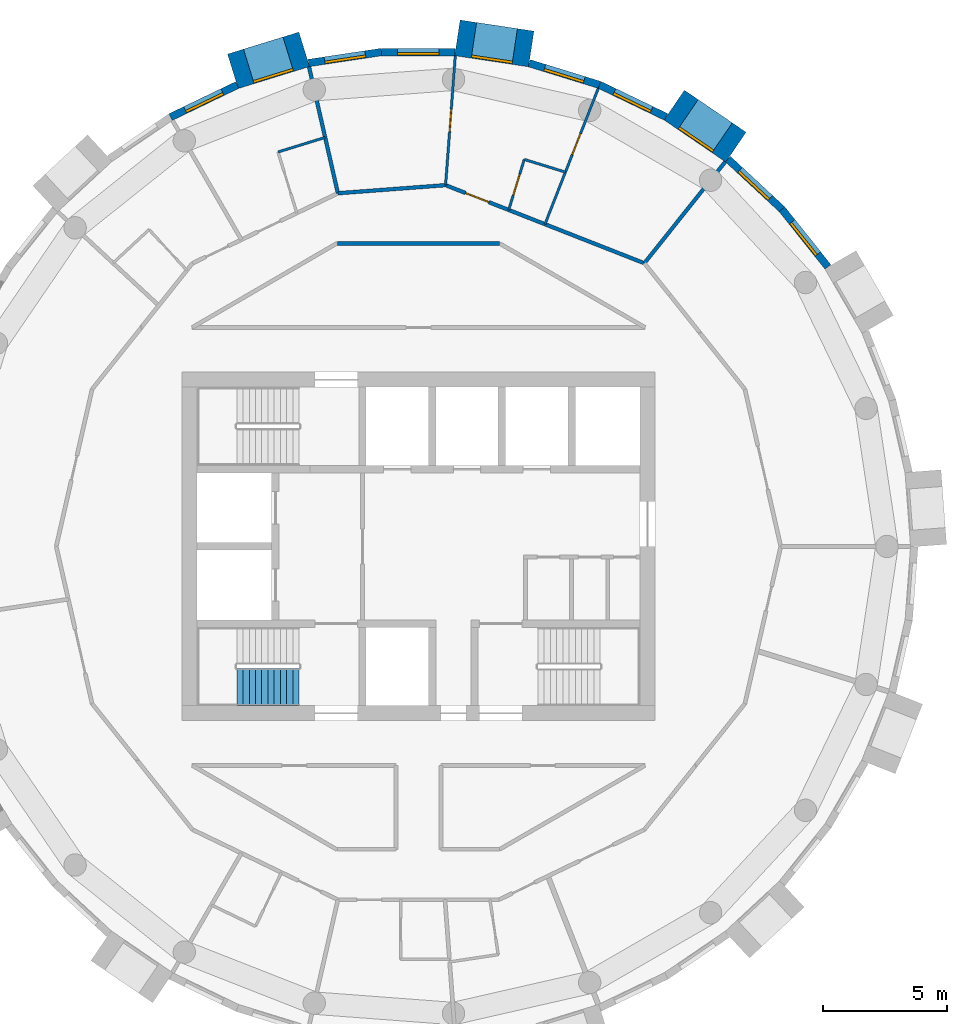
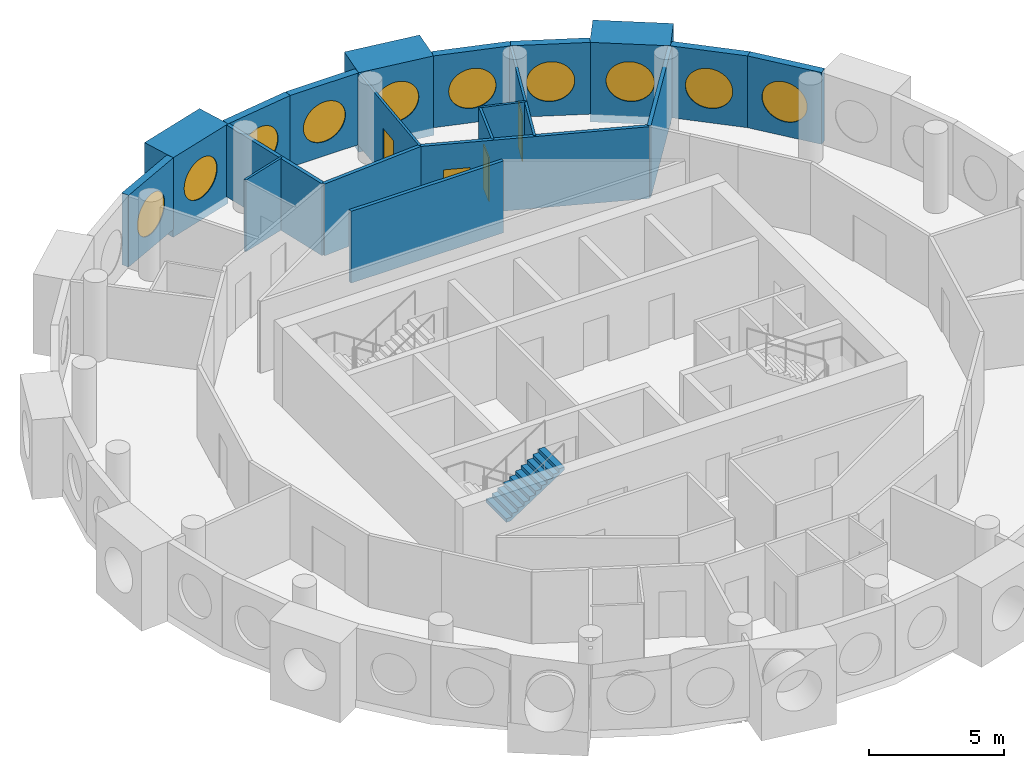
# One storey, part 11 of 13: 21 walls, 10 windows, 4 doors, 1 stair flight, 14 openings, 1 element without a shape of its own.
"""IFC4 building model written with IfcOpenShell, lengths in metres."""

from ifc_helpers import new_model, si_unit, direction, frame, frame_2d, origin, origin_2d, place, context, subcontext, project, spatial, polyline, rectangle, circle, outline, extrude, material, layer, layer_set, type_object, element, fill, aggregate, save


model = new_model("IFC4")

# Units and contexts
model_context = context("Model", 3, precision=1e-05, world=origin(), true_north=direction((0.0, 1.0)))
body_context = subcontext(model_context, "Body", "Model", "MODEL_VIEW")
ifc_project = project(units=[si_unit("LENGTHUNIT", "METRE"), si_unit("AREAUNIT", "SQUARE_METRE"), si_unit("VOLUMEUNIT", "CUBIC_METRE"), si_unit("PLANEANGLEUNIT", "RADIAN"), si_unit("MASSUNIT", "GRAM", prefix="KILO")], contexts=[model_context])

# Site, building, storey
site_placement = place(None, origin())
site = spatial("IfcSite", under=ifc_project, at=site_placement, CompositionType="ELEMENT")
building_placement = place(site_placement, origin())
building = spatial("IfcBuilding", under=site, at=building_placement, Name="Tracery Tower", CompositionType="ELEMENT")
storey_placement = place(building_placement, frame((0.0, 0.0, 319.800048828125)))
storey = spatial("IfcBuildingStorey", under=building, at=storey_placement, Name="L83", CompositionType="ELEMENT", Elevation=319.800048828125)

# Wall, opening, window
ifc_material_1 = material(Name="Precast concrete C50/60", Category="concrete")
ifc_layer_1 = layer(ifc_material_1, 1.449951171875)
ifc_layer_set_1 = layer_set([ifc_layer_1], Name="Deep-set bay unit 3000 x 3600, slab edge 350")
wall_type_1 = type_object("IfcWallType", Name="Deep-set bay unit 3000 x 3600, slab edge 350", PredefinedType="ELEMENTEDWALL", material=ifc_layer_set_1)
wall_1_placement = place(storey_placement, frame((12.754150390625, 16.044189453125, -0.35009765625), z_axis=(0.0, 0.0, 1.0), x_axis=(-0.826246281157, 0.563309047392, 0.0)))
wall_1 = element("IfcWall", 1, at=wall_1_placement, inside=storey, type_object=wall_type_1, Name="Deep-set bay unit 7 at L83", PredefinedType="ELEMENTEDWALL", context=body_context, shape_type="SweptSolid", body=[
    extrude(rectangle(XDim=3.0, YDim=1.449951171875, at=frame_2d((1.5, 0.0))), origin(), (0.0, 0.0, 1.0), 3.60009765625),
])
opening_1_placement = place(wall_1_placement, frame((1.5, 0.0, 1.89990234375)))
opening_1 = element("IfcOpeningElement", 2, at=opening_1_placement, cuts=wall_1, Name="Opening WN1", PredefinedType="OPENING", context=body_context, shape_type="SweptSolid", body=[
    extrude(circle(Radius=0.9000244140625, at=origin_2d()), frame((0.0, 0.73486328125, 0.0), z_axis=(0.0, -1.0, 0.0), x_axis=(1.0, 0.0, 0.0)), (0.0, 0.0, 1.0), 1.469970703125),
])
ifc_material_2 = material(Name="Aluminium frame with tinted double glazing", Category="aluminium")
window_type = type_object("IfcWindowType", Name="Round window 1800", PartitioningType="SINGLE_PANEL", PredefinedType="WINDOW", material=ifc_material_2)
window_1_placement = place(opening_1_placement, origin())
window_1 = element("IfcWindow", 3, at=window_1_placement, inside=storey, type_object=window_type, Name="Round window 7 at L83", OverallHeight=1.800048828125, OverallWidth=1.800048828125, PartitioningType="SINGLE_PANEL", PredefinedType="WINDOW", context=body_context, shape_type="SweptSolid", body=[
    extrude(circle(Radius=0.9000244140625, at=origin_2d()), frame((0.0, 0.69482421875, 0.0), z_axis=(0.0, -1.0, 0.0), x_axis=(1.0, 0.0, 0.0)), (0.0, 0.0, 1.0), 0.10009765625),
])
fill(opening_1, window_1)

wall_2_placement = place(storey_placement, frame((4.52978515625, 19.9892578125, -0.35009765625), z_axis=(0.0, 0.0, 1.0), x_axis=(-0.988836445254, 0.149004981587, 0.0)))
wall_2 = element("IfcWall", 4, at=wall_2_placement, inside=storey, type_object=wall_type_1, Name="Deep-set bay unit 10 at L83", PredefinedType="ELEMENTEDWALL", context=body_context, shape_type="SweptSolid", body=[
    extrude(rectangle(XDim=3.0, YDim=1.449951171875, at=frame_2d((1.5, 0.0))), origin(), (0.0, 0.0, 1.0), 3.60009765625),
])
opening_2_placement = place(wall_2_placement, frame((1.5, 0.0, 1.89990234375)))
opening_2 = element("IfcOpeningElement", 5, at=opening_2_placement, cuts=wall_2, Name="Opening WN1", PredefinedType="OPENING", context=body_context, shape_type="SweptSolid", body=[
    extrude(circle(Radius=0.9000244140625, at=origin_2d()), frame((0.0, 0.73486328125, 0.0), z_axis=(0.0, -1.0, 0.0), x_axis=(1.0, 0.0, 0.0)), (0.0, 0.0, 1.0), 1.469970703125),
])
window_2_placement = place(opening_2_placement, origin())
window_2 = element("IfcWindow", 6, at=window_2_placement, inside=storey, type_object=window_type, Name="Round window 10 at L83", OverallHeight=1.800048828125, OverallWidth=1.800048828125, PartitioningType="SINGLE_PANEL", PredefinedType="WINDOW", context=body_context, shape_type="SweptSolid", body=[
    extrude(circle(Radius=0.9000244140625, at=origin_2d()), frame((0.0, 0.69482421875, 0.0), z_axis=(0.0, -1.0, 0.0), x_axis=(1.0, 0.0, 0.0)), (0.0, 0.0, 1.0), 0.10009765625),
])
fill(opening_2, window_2)

wall_3_placement = place(storey_placement, frame((-4.591796875, 19.97509765625, -0.35009765625), z_axis=(0.0, 0.0, 1.0), x_axis=(-0.955571139978, -0.294760574774, 0.0)))
wall_3 = element("IfcWall", 7, at=wall_3_placement, inside=storey, type_object=wall_type_1, Name="Deep-set bay unit 13 at L83", PredefinedType="ELEMENTEDWALL", context=body_context, shape_type="SweptSolid", body=[
    extrude(rectangle(XDim=3.0, YDim=1.449951171875, at=frame_2d((1.5, 0.0))), origin(), (0.0, 0.0, 1.0), 3.60009765625),
])
opening_3_placement = place(wall_3_placement, frame((1.5, 0.0, 1.89990234375)))
opening_3 = element("IfcOpeningElement", 8, at=opening_3_placement, cuts=wall_3, Name="Opening WN1", PredefinedType="OPENING", context=body_context, shape_type="SweptSolid", body=[
    extrude(circle(Radius=0.9000244140625, at=origin_2d()), frame((0.0, 0.73486328125, 0.0), z_axis=(0.0, -1.0, 0.0), x_axis=(1.0, 0.0, 0.0)), (0.0, 0.0, 1.0), 1.469970703125),
])
window_3_placement = place(opening_3_placement, origin())
window_3 = element("IfcWindow", 9, at=window_3_placement, inside=storey, type_object=window_type, Name="Round window 13 at L83", OverallHeight=1.800048828125, OverallWidth=1.800048828125, PartitioningType="SINGLE_PANEL", PredefinedType="WINDOW", context=body_context, shape_type="SweptSolid", body=[
    extrude(circle(Radius=0.9000244140625, at=origin_2d()), frame((0.0, 0.69482421875, 0.0), z_axis=(0.0, -1.0, 0.0), x_axis=(1.0, 0.0, 0.0)), (0.0, 0.0, 1.0), 0.10009765625),
])
fill(opening_3, window_3)

ifc_material_3 = material(Name="Precast concrete C50/60", Category="concrete")
ifc_layer_2 = layer(ifc_material_3, 0.300048828125)
ifc_layer_set_2 = layer_set([ifc_layer_2], Name="Facade panel 3000 x 3250")
wall_type_2 = type_object("IfcWallType", Name="Facade panel 3000 x 3250", PredefinedType="SOLIDWALL", material=ifc_layer_set_2)
wall_4_placement = place(storey_placement, frame((16.45068359375, 11.234375, 0.0), z_axis=(0.0, 0.0, 1.0), x_axis=(-0.623498236992, 0.781824755599, 0.0)))
wall_4 = element("IfcWall", 10, at=wall_4_placement, inside=storey, type_object=wall_type_2, Name="Facade panel 5 at L83", PredefinedType="SOLIDWALL", context=body_context, shape_type="SweptSolid", body=[
    extrude(rectangle(XDim=2.962158203125, YDim=0.300048828125, at=frame_2d((1.48095703125, 0.0))), origin(), (0.0, 0.0, 1.0), 3.25),
])
opening_4_placement = place(wall_4_placement, frame((1.48095703125, 0.0, 1.5498046875)))
opening_4 = element("IfcOpeningElement", 11, at=opening_4_placement, cuts=wall_4, Name="Opening WN1", PredefinedType="OPENING", context=body_context, shape_type="SweptSolid", body=[
    extrude(circle(Radius=0.9000244140625, at=origin_2d()), frame((0.0, 0.159912109375, 0.0), z_axis=(0.0, -1.0, 0.0), x_axis=(1.0, 0.0, 0.0)), (0.0, 0.0, 1.0), 0.320068359375),
])
window_4_placement = place(opening_4_placement, origin())
window_4 = element("IfcWindow", 12, at=window_4_placement, inside=storey, type_object=window_type, Name="Round window 5 at L83", OverallHeight=1.800048828125, OverallWidth=1.800048828125, PartitioningType="SINGLE_PANEL", PredefinedType="WINDOW", context=body_context, shape_type="SweptSolid", body=[
    extrude(circle(Radius=0.9000244140625, at=origin_2d()), frame((0.0, 0.1201171875, 0.0), z_axis=(0.0, -1.0, 0.0), x_axis=(1.0, 0.0, 0.0)), (0.0, 0.0, 1.0), 0.10009765625),
])
fill(opening_4, window_4)

wall_5_placement = place(storey_placement, frame((14.603759765625, 13.55029296875, 0.0), z_axis=(0.0, 0.0, 1.0), x_axis=(-0.733066412643, 0.680157066165, 0.0)))
wall_5 = element("IfcWall", 13, at=wall_5_placement, inside=storey, type_object=wall_type_2, Name="Facade panel 6 at L83", PredefinedType="SOLIDWALL", context=body_context, shape_type="SweptSolid", body=[
    extrude(rectangle(XDim=2.96240234375, YDim=0.300048828125, at=frame_2d((1.481201171875, 0.0))), origin(), (0.0, 0.0, 1.0), 3.25),
])
opening_5_placement = place(wall_5_placement, frame((1.48095703125, 0.0, 1.5498046875)))
opening_5 = element("IfcOpeningElement", 14, at=opening_5_placement, cuts=wall_5, Name="Opening WN1", PredefinedType="OPENING", context=body_context, shape_type="SweptSolid", body=[
    extrude(circle(Radius=0.9000244140625, at=origin_2d()), frame((0.0, 0.159912109375, 0.0), z_axis=(0.0, -1.0, 0.0), x_axis=(1.0, 0.0, 0.0)), (0.0, 0.0, 1.0), 0.320068359375),
])
window_5_placement = place(opening_5_placement, origin())
window_5 = element("IfcWindow", 15, at=window_5_placement, inside=storey, type_object=window_type, Name="Round window 6 at L83", OverallHeight=1.800048828125, OverallWidth=1.800048828125, PartitioningType="SINGLE_PANEL", PredefinedType="WINDOW", context=body_context, shape_type="SweptSolid", body=[
    extrude(circle(Radius=0.9000244140625, at=origin_2d()), frame((0.0, 0.1201171875, 0.0), z_axis=(0.0, -1.0, 0.0), x_axis=(1.0, 0.0, 0.0)), (0.0, 0.0, 1.0), 0.10009765625),
])
fill(opening_5, window_5)

wall_6_placement = place(storey_placement, frame((9.947021484375, 17.25927734375, 0.0), z_axis=(0.0, 0.0, 1.0), x_axis=(-0.900939615635, 0.433944476838, 0.0)))
wall_6 = element("IfcWall", 16, at=wall_6_placement, inside=storey, type_object=wall_type_2, Name="Facade panel 8 at L83", PredefinedType="SOLIDWALL", context=body_context, shape_type="SweptSolid", body=[
    extrude(rectangle(XDim=2.962158203125, YDim=0.300048828125, at=frame_2d((1.48095703125, 0.0))), origin(), (0.0, 0.0, 1.0), 3.25),
])
opening_6_placement = place(wall_6_placement, frame((1.48095703125, 0.0, 1.5498046875)))
opening_6 = element("IfcOpeningElement", 17, at=opening_6_placement, cuts=wall_6, Name="Opening WN1", PredefinedType="OPENING", context=body_context, shape_type="SweptSolid", body=[
    extrude(circle(Radius=0.9000244140625, at=origin_2d()), frame((0.0, 0.159912109375, 0.0), z_axis=(0.0, -1.0, 0.0), x_axis=(1.0, 0.0, 0.0)), (0.0, 0.0, 1.0), 0.320068359375),
])
window_6_placement = place(opening_6_placement, origin())
window_6 = element("IfcWindow", 18, at=window_6_placement, inside=storey, type_object=window_type, Name="Round window 8 at L83", OverallHeight=1.800048828125, OverallWidth=1.800048828125, PartitioningType="SINGLE_PANEL", PredefinedType="WINDOW", context=body_context, shape_type="SweptSolid", body=[
    extrude(circle(Radius=0.9000244140625, at=origin_2d()), frame((0.0, 0.1201171875, 0.0), z_axis=(0.0, -1.0, 0.0), x_axis=(1.0, 0.0, 0.0)), (0.0, 0.0, 1.0), 0.10009765625),
])
fill(opening_6, window_6)

wall_7_placement = place(storey_placement, frame((7.2783203125, 18.544677734375, 0.0), z_axis=(0.0, 0.0, 1.0), x_axis=(-0.95558635705, 0.294711238707, 0.0)))
wall_7 = element("IfcWall", 19, at=wall_7_placement, inside=storey, type_object=wall_type_2, Name="Facade panel 9 at L83", PredefinedType="SOLIDWALL", context=body_context, shape_type="SweptSolid", body=[
    extrude(rectangle(XDim=2.96240234375, YDim=0.300048828125, at=frame_2d((1.481201171875, 0.0))), origin(), (0.0, 0.0, 1.0), 3.25),
])
opening_7_placement = place(wall_7_placement, frame((1.48095703125, 0.0, 1.5498046875)))
opening_7 = element("IfcOpeningElement", 20, at=opening_7_placement, cuts=wall_7, Name="Opening WN1", PredefinedType="OPENING", context=body_context, shape_type="SweptSolid", body=[
    extrude(circle(Radius=0.9000244140625, at=origin_2d()), frame((0.0, 0.159912109375, 0.0), z_axis=(0.0, -1.0, 0.0), x_axis=(1.0, 0.0, 0.0)), (0.0, 0.0, 1.0), 0.320068359375),
])
window_7_placement = place(opening_7_placement, origin())
window_7 = element("IfcWindow", 21, at=window_7_placement, inside=storey, type_object=window_type, Name="Round window 9 at L83", OverallHeight=1.800048828125, OverallWidth=1.800048828125, PartitioningType="SINGLE_PANEL", PredefinedType="WINDOW", context=body_context, shape_type="SweptSolid", body=[
    extrude(circle(Radius=0.9000244140625, at=origin_2d()), frame((0.0, 0.1201171875, 0.0), z_axis=(0.0, -1.0, 0.0), x_axis=(1.0, 0.0, 0.0)), (0.0, 0.0, 1.0), 0.10009765625),
])
fill(opening_7, window_7)

wall_8_placement = place(storey_placement, frame((1.473388671875, 19.865966796875, 0.0), z_axis=(0.0, 0.0, 1.0), x_axis=(-1.0, 0.0, 0.0)))
wall_8 = element("IfcWall", 22, at=wall_8_placement, inside=storey, type_object=wall_type_2, Name="Facade panel 11 at L83", PredefinedType="SOLIDWALL", context=body_context, shape_type="SweptSolid", body=[
    extrude(rectangle(XDim=2.962158203125, YDim=0.300048828125, at=frame_2d((1.48095703125, 0.0))), origin(), (0.0, 0.0, 1.0), 3.25),
])
opening_8_placement = place(wall_8_placement, frame((1.48095703125, 0.0, 1.5498046875)))
opening_8 = element("IfcOpeningElement", 23, at=opening_8_placement, cuts=wall_8, Name="Opening WN1", PredefinedType="OPENING", context=body_context, shape_type="SweptSolid", body=[
    extrude(circle(Radius=0.9000244140625, at=origin_2d()), frame((0.0, 0.159912109375, 0.0), z_axis=(0.0, -1.0, 0.0), x_axis=(1.0, 0.0, 0.0)), (0.0, 0.0, 1.0), 0.320068359375),
])
window_8_placement = place(opening_8_placement, origin())
window_8 = element("IfcWindow", 24, at=window_8_placement, inside=storey, type_object=window_type, Name="Round window 11 at L83", OverallHeight=1.800048828125, OverallWidth=1.800048828125, PartitioningType="SINGLE_PANEL", PredefinedType="WINDOW", context=body_context, shape_type="SweptSolid", body=[
    extrude(circle(Radius=0.9000244140625, at=origin_2d()), frame((0.0, 0.1201171875, 0.0), z_axis=(0.0, -1.0, 0.0), x_axis=(1.0, 0.0, 0.0)), (0.0, 0.0, 1.0), 0.10009765625),
])
fill(opening_8, window_8)

wall_9_placement = place(storey_placement, frame((-1.48876953125, 19.865966796875, 0.0), z_axis=(0.0, 0.0, 1.0), x_axis=(-0.988835775663, -0.149009425104, 0.0)))
wall_9 = element("IfcWall", 25, at=wall_9_placement, inside=storey, type_object=wall_type_2, Name="Facade panel 12 at L83", PredefinedType="SOLIDWALL", context=body_context, shape_type="SweptSolid", body=[
    extrude(rectangle(XDim=2.962158203125, YDim=0.300048828125, at=frame_2d((1.48095703125, 0.0))), origin(), (0.0, 0.0, 1.0), 3.25),
])
opening_9_placement = place(wall_9_placement, frame((1.48095703125, 0.0, 1.5498046875)))
opening_9 = element("IfcOpeningElement", 26, at=opening_9_placement, cuts=wall_9, Name="Opening WN1", PredefinedType="OPENING", context=body_context, shape_type="SweptSolid", body=[
    extrude(circle(Radius=0.9000244140625, at=origin_2d()), frame((0.0, 0.159912109375, 0.0), z_axis=(0.0, -1.0, 0.0), x_axis=(1.0, 0.0, 0.0)), (0.0, 0.0, 1.0), 0.320068359375),
])
window_9_placement = place(opening_9_placement, origin())
window_9 = element("IfcWindow", 27, at=window_9_placement, inside=storey, type_object=window_type, Name="Round window 12 at L83", OverallHeight=1.800048828125, OverallWidth=1.800048828125, PartitioningType="SINGLE_PANEL", PredefinedType="WINDOW", context=body_context, shape_type="SweptSolid", body=[
    extrude(circle(Radius=0.9000244140625, at=origin_2d()), frame((0.0, 0.1201171875, 0.0), z_axis=(0.0, -1.0, 0.0), x_axis=(1.0, 0.0, 0.0)), (0.0, 0.0, 1.0), 0.10009765625),
])
fill(opening_9, window_9)

wall_10_placement = place(storey_placement, frame((-7.2919921875, 18.5380859375, 0.0), z_axis=(0.0, 0.0, 1.0), x_axis=(-0.90095513435, -0.433912255978, 0.0)))
wall_10 = element("IfcWall", 28, at=wall_10_placement, inside=storey, type_object=wall_type_2, Name="Facade panel 14 at L83", PredefinedType="SOLIDWALL", context=body_context, shape_type="SweptSolid", body=[
    extrude(rectangle(XDim=2.96240234375, YDim=0.300048828125, at=frame_2d((1.481201171875, 0.0))), origin(), (0.0, 0.0, 1.0), 3.25),
])
opening_10_placement = place(wall_10_placement, frame((1.48095703125, 0.0, 1.5498046875)))
opening_10 = element("IfcOpeningElement", 29, at=opening_10_placement, cuts=wall_10, Name="Opening WN1", PredefinedType="OPENING", context=body_context, shape_type="SweptSolid", body=[
    extrude(circle(Radius=0.9000244140625, at=origin_2d()), frame((0.0, 0.159912109375, 0.0), z_axis=(0.0, -1.0, 0.0), x_axis=(1.0, 0.0, 0.0)), (0.0, 0.0, 1.0), 0.320068359375),
])
window_10_placement = place(opening_10_placement, origin())
window_10 = element("IfcWindow", 30, at=window_10_placement, inside=storey, type_object=window_type, Name="Round window 14 at L83", OverallHeight=1.800048828125, OverallWidth=1.800048828125, PartitioningType="SINGLE_PANEL", PredefinedType="WINDOW", context=body_context, shape_type="SweptSolid", body=[
    extrude(circle(Radius=0.9000244140625, at=origin_2d()), frame((0.0, 0.1201171875, 0.0), z_axis=(0.0, -1.0, 0.0), x_axis=(1.0, 0.0, 0.0)), (0.0, 0.0, 1.0), 0.10009765625),
])
fill(opening_10, window_10)

# Wall, opening, door
ifc_material_4 = material(Name="Plasterboard on steel studs", Category="steel")
ifc_layer_3 = layer(ifc_material_4, 0.10009765625)
ifc_layer_set_3 = layer_set([ifc_layer_3], Name="Partition 100 stud")
wall_type_3 = type_object("IfcWallType", Name="Partition 100 stud", PredefinedType="PARTITIONING", material=ifc_layer_set_3)
wall_11_placement = place(storey_placement, frame((5.903076171875, 15.041015625, 0.0), z_axis=(0.0, 0.0, 1.0), x_axis=(0.36523219083, 0.930916455318, 0.0)))
wall_11 = element("IfcWall", 31, at=wall_11_placement, inside=storey, type_object=wall_type_3, Name="Stud partition RC9-045", PredefinedType="PARTITIONING", context=body_context, shape_type="SweptSolid", body=[
    extrude(rectangle(XDim=3.61376953125, YDim=0.10009765625, at=frame_2d((1.806884765625, 0.0))), origin(), (0.0, 0.0, 1.0), 3.25),
])
opening_11_placement = place(wall_11_placement, frame((0.756591796875, 0.0, 0.0)))
opening_11 = element("IfcOpeningElement", 32, at=opening_11_placement, cuts=wall_11, Name="Opening RC9-05", PredefinedType="OPENING", context=body_context, shape_type="SweptSolid", body=[
    extrude(rectangle(XDim=0.89990234375, YDim=2.10009765625, at=frame_2d((0.449951171875, 1.050048828125))), frame((0.0, 0.050048828125, 0.0), z_axis=(0.0, -1.0, 0.0), x_axis=(1.0, 0.0, 0.0)), (0.0, 0.0, 1.0), 0.10009765625),
])
ifc_material_5 = material(Name="Timber door leaf", Category="wood")
door_type_1 = type_object("IfcDoorType", Name="Door bedroom 900", OperationType="NOTDEFINED", PredefinedType="DOOR", material=ifc_material_5)
door_1_placement = place(opening_11_placement, origin())
door_1 = element("IfcDoor", 33, at=door_1_placement, inside=storey, type_object=door_type_1, Name="Bedroom door RC9-05", OperationType="SINGLE_SWING_RIGHT", OverallHeight=2.10009765625, OverallWidth=0.89990234375, PredefinedType="DOOR", context=body_context, shape_type="SweptSolid", body=[
    extrude(rectangle(XDim=0.89990234375, YDim=2.10009765625, at=frame_2d((0.449951171875, 1.050048828125))), frame((0.0, 0.02490234375, 0.0), z_axis=(0.0, -1.0, 0.0), x_axis=(1.0, 0.0, 0.0)), (0.0, 0.0, 1.0), 0.050048828125),
])
fill(opening_11, door_1)

wall_12_placement = place(storey_placement, frame((1.087890625, 14.51611328125, 0.0), z_axis=(0.0, 0.0, 1.0), x_axis=(0.074816718541, 0.997197301755, 0.0)))
wall_12 = element("IfcWall", 34, at=wall_12_placement, inside=storey, type_object=wall_type_3, Name="Stud partition RC9-046", PredefinedType="PARTITIONING", context=body_context, shape_type="SweptSolid", body=[
    extrude(rectangle(XDim=5.214599609375, YDim=0.10009765625, at=frame_2d((2.607421875, 0.0))), origin(), (0.0, 0.0, 1.0), 3.25),
])
opening_12_placement = place(wall_12_placement, frame((2.156982421875, 0.0, 0.0)))
opening_12 = element("IfcOpeningElement", 35, at=opening_12_placement, cuts=wall_12, Name="Opening RC9-06", PredefinedType="OPENING", context=body_context, shape_type="SweptSolid", body=[
    extrude(rectangle(XDim=0.89990234375, YDim=2.10009765625, at=frame_2d((0.449951171875, 1.050048828125))), frame((0.0, 0.050048828125, 0.0), z_axis=(0.0, -1.0, 0.0), x_axis=(1.0, 0.0, 0.0)), (0.0, 0.0, 1.0), 0.10009765625),
])
door_2_placement = place(opening_12_placement, origin())
door_2 = element("IfcDoor", 36, at=door_2_placement, inside=storey, type_object=door_type_1, Name="Bedroom door RC9-06", OperationType="SINGLE_SWING_LEFT", OverallHeight=2.10009765625, OverallWidth=0.89990234375, PredefinedType="DOOR", context=body_context, shape_type="SweptSolid", body=[
    extrude(rectangle(XDim=0.89990234375, YDim=2.10009765625, at=frame_2d((0.449951171875, 1.050048828125))), frame((0.0, 0.02490234375, 0.0), z_axis=(0.0, -1.0, 0.0), x_axis=(1.0, 0.0, 0.0)), (0.0, 0.0, 1.0), 0.050048828125),
])
fill(opening_12, door_2)

# Wall
ifc_material_6 = material(Name="Plasterboard on steel studs", Category="steel")
ifc_layer_4 = layer(ifc_material_6, 0.10009765625)
ifc_layer_set_4 = layer_set([ifc_layer_4], Name="Partition 100 wet wall")
wall_type_4 = type_object("IfcWallType", Name="Partition 100 wet wall", PredefinedType="PARTITIONING", material=ifc_layer_set_4)
wall_13_placement = place(storey_placement, frame((4.25, 15.551025390625, 0.0), z_axis=(0.0, 0.0, 1.0), x_axis=(0.955555986234, -0.294809696536, 0.0)))
element("IfcWall", 37, at=wall_13_placement, inside=storey, type_object=wall_type_4, Name="Wet wall RC9-047", PredefinedType="PARTITIONING", context=body_context, shape_type="SweptSolid", body=[
    extrude(rectangle(XDim=1.72998046875, YDim=0.10009765625, at=frame_2d((0.864990234375, 0.0))), origin(), (0.0, 0.0, 1.0), 3.25),
])

# Wall, opening, door
wall_14_placement = place(storey_placement, frame((3.6240234375, 13.52099609375, 0.0), z_axis=(0.0, 0.0, 1.0), x_axis=(0.294667251911, 0.955599921856, 0.0)))
wall_14 = element("IfcWall", 38, at=wall_14_placement, inside=storey, type_object=wall_type_4, Name="Wet wall RC9-048", PredefinedType="PARTITIONING", context=body_context, shape_type="SweptSolid", body=[
    extrude(rectangle(XDim=2.124267578125, YDim=0.10009765625, at=frame_2d((1.06201171875, 0.0))), origin(), (0.0, 0.0, 1.0), 3.25),
])
opening_13_placement = place(wall_14_placement, frame((0.6123046875, 0.0, 0.0)))
opening_13 = element("IfcOpeningElement", 39, at=opening_13_placement, cuts=wall_14, Name="Opening RC9-07", PredefinedType="OPENING", context=body_context, shape_type="SweptSolid", body=[
    extrude(rectangle(XDim=0.89990234375, YDim=2.0, at=frame_2d((0.449951171875, 1.0))), frame((0.0, 0.050048828125, 0.0), z_axis=(0.0, -1.0, 0.0), x_axis=(1.0, 0.0, 0.0)), (0.0, 0.0, 1.0), 0.10009765625),
])
ifc_material_7 = material(Name="Timber door leaf", Category="wood")
door_type_2 = type_object("IfcDoorType", Name="Door shower room 900", OperationType="NOTDEFINED", PredefinedType="DOOR", material=ifc_material_7)
door_3_placement = place(opening_13_placement, origin())
door_3 = element("IfcDoor", 40, at=door_3_placement, inside=storey, type_object=door_type_2, Name="Shower room door RC9-07", OperationType="SINGLE_SWING_LEFT", OverallHeight=2.0, OverallWidth=0.89990234375, PredefinedType="DOOR", context=body_context, shape_type="SweptSolid", body=[
    extrude(rectangle(XDim=0.89990234375, YDim=2.0, at=frame_2d((0.449951171875, 1.0))), frame((0.0, 0.02490234375, 0.0), z_axis=(0.0, -1.0, 0.0), x_axis=(1.0, 0.0, 0.0)), (0.0, 0.0, 1.0), 0.050048828125),
])
fill(opening_13, door_3)

# Walls
wall_15_placement = place(storey_placement, frame((5.08203125, 12.948974609375, 0.0), z_axis=(0.0, 0.0, 1.0), x_axis=(0.365118857447, 0.930960912142, 0.0)))
element("IfcWall", 41, at=wall_15_placement, inside=storey, type_object=wall_type_4, Name="Wet wall RC9-049", PredefinedType="PARTITIONING", context=body_context, shape_type="SweptSolid", body=[
    extrude(rectangle(XDim=2.25146484375, YDim=0.10009765625, at=frame_2d((1.125732421875, 0.0))), origin(), (0.0, 0.0, 1.0), 3.25),
])
wall_16_placement = place(storey_placement, frame((-5.64501953125, 15.84912109375, 0.0), z_axis=(0.0, 0.0, 1.0), x_axis=(0.955469584731, 0.295089601059, 0.0)))
element("IfcWall", 42, at=wall_16_placement, inside=storey, type_object=wall_type_4, Name="Wet wall RC9-051", PredefinedType="PARTITIONING", context=body_context, shape_type="SweptSolid", body=[
    extrude(rectangle(XDim=1.982421875, YDim=0.10009765625, at=frame_2d((0.9912109375, 0.0))), origin(), (0.0, 0.0, 1.0), 3.25),
])
ifc_material_8 = material(Name="Plasterboard on steel studs", Category="steel")
ifc_layer_5 = layer(ifc_material_8, 0.14990234375)
ifc_layer_set_5 = layer_set([ifc_layer_5], Name="Partition 150 acoustic unit wall")
wall_type_5 = type_object("IfcWallType", Name="Partition 150 acoustic unit wall", PredefinedType="PARTITIONING", material=ifc_layer_set_5)
wall_17_placement = place(storey_placement, frame((9.075927734375, 11.381103515625, 0.0), z_axis=(0.0, 0.0, 1.0), x_axis=(0.623460949534, 0.781854490558, 0.0)))
element("IfcWall", 43, at=wall_17_placement, inside=storey, type_object=wall_type_5, Name="Unit wall RC9-043", PredefinedType="PARTITIONING", context=body_context, shape_type="SweptSolid", body=[
    extrude(rectangle(XDim=5.21435546875, YDim=0.14990234375, at=frame_2d((2.607177734375, 0.0))), origin(), (0.0, 0.0, 1.0), 3.25),
])
wall_18_placement = place(storey_placement, frame((-4.39990234375, 19.27587890625, 0.0), z_axis=(0.0, 0.0, 1.0), x_axis=(0.222612505682, -0.974907007008, 0.0)))
element("IfcWall", 44, at=wall_18_placement, inside=storey, type_object=wall_type_5, Name="Unit wall RC9-050", PredefinedType="PARTITIONING", context=body_context, shape_type="SweptSolid", body=[
    extrude(rectangle(XDim=5.21484375, YDim=0.14990234375, at=frame_2d((2.607421875, 0.0))), origin(), (0.0, 0.0, 1.0), 3.25),
])
ifc_material_9 = material(Name="Plasterboard on steel studs", Category="steel")
ifc_layer_6 = layer(ifc_material_9, 0.14990234375)
ifc_layer_set_6 = layer_set([ifc_layer_6], Name="Partition 150 corridor wall")
wall_type_6 = type_object("IfcWallType", Name="Partition 150 corridor wall", PredefinedType="PARTITIONING", material=ifc_layer_set_6)
wall_19_placement = place(storey_placement, frame((-3.260986328125, 12.1708984375, 0.0), z_axis=(0.0, 0.0, 1.0), x_axis=(1.0, 0.0, 0.0)))
element("IfcWall", 45, at=wall_19_placement, inside=storey, type_object=wall_type_6, Name="Corridor wall RC9-025", PredefinedType="PARTITIONING", context=body_context, shape_type="SweptSolid", body=[
    extrude(rectangle(XDim=6.52197265625, YDim=0.14990234375, at=frame_2d((3.260986328125, 0.0))), origin(), (0.0, 0.0, 1.0), 3.25),
])

# Wall, opening, door
wall_20_placement = place(storey_placement, frame((1.087890625, 14.51611328125, 0.0), z_axis=(0.0, 0.0, 1.0), x_axis=(0.930800934608, -0.365526497168, 0.0)))
wall_20 = element("IfcWall", 46, at=wall_20_placement, inside=storey, type_object=wall_type_6, Name="Corridor wall RC9-027", PredefinedType="PARTITIONING", context=body_context, shape_type="SweptSolid", body=[
    extrude(rectangle(XDim=8.581298828125, YDim=0.14990234375, at=frame_2d((4.29052734375, 0.0))), origin(), (0.0, 0.0, 1.0), 3.25),
])
opening_14_placement = place(wall_20_placement, frame((0.864013671875, 0.0, 0.0)))
opening_14 = element("IfcOpeningElement", 47, at=opening_14_placement, cuts=wall_20, Name="Opening RC9-08", PredefinedType="OPENING", context=body_context, shape_type="SweptSolid", body=[
    extrude(rectangle(XDim=1.0, YDim=2.10009765625, at=frame_2d((0.5, 1.050048828125))), frame((0.0, 0.074951171875, 0.0), z_axis=(0.0, -1.0, 0.0), x_axis=(1.0, 0.0, 0.0)), (0.0, 0.0, 1.0), 0.14990234375),
])
ifc_material_10 = material(Name="Timber door leaf", Category="wood")
door_type_3 = type_object("IfcDoorType", Name="Door unit entrance 1000", OperationType="NOTDEFINED", PredefinedType="DOOR", material=ifc_material_10)
door_4_placement = place(opening_14_placement, origin())
door_4 = element("IfcDoor", 48, at=door_4_placement, inside=storey, type_object=door_type_3, Name="Unit entrance door RC9-08", OperationType="SINGLE_SWING_RIGHT", OverallHeight=2.10009765625, OverallWidth=1.0, PredefinedType="DOOR", context=body_context, shape_type="SweptSolid", body=[
    extrude(rectangle(XDim=1.0, YDim=2.10009765625, at=frame_2d((0.5, 1.050048828125))), frame((0.0, 0.02490234375, 0.0), z_axis=(0.0, -1.0, 0.0), x_axis=(1.0, 0.0, 0.0)), (0.0, 0.0, 1.0), 0.050048828125),
])
fill(opening_14, door_4)

# Wall
wall_21_placement = place(storey_placement, frame((-3.239013671875, 14.19189453125, 0.0), z_axis=(0.0, 0.0, 1.0), x_axis=(0.997204448067, 0.074721407608, 0.0)))
element("IfcWall", 49, at=wall_21_placement, inside=storey, type_object=wall_type_6, Name="Corridor wall RC9-028", PredefinedType="PARTITIONING", context=body_context, shape_type="SweptSolid", body=[
    extrude(rectangle(XDim=4.339111328125, YDim=0.14990234375, at=frame_2d((2.16943359375, 0.0))), origin(), (0.0, 0.0, 1.0), 3.25),
])

# Stair, stair flight
ifc_material_11 = material(Name="Concrete C32/40", Category="concrete")
stair_type = type_object("IfcStairType", Name="Core stair 22 risers", PredefinedType="HALF_TURN_STAIR", material=ifc_material_11)
stair_placement = place(storey_placement, origin())
stair = element("IfcStair", 50, at=stair_placement, inside=storey, type_object=stair_type, Name="L83 stair ST1", PredefinedType="HALF_TURN_STAIR")
ifc_material_12 = material(Name="Concrete C32/40", Category="concrete")
stair_flight_type = type_object("IfcStairFlightType", Name="Core stair flight 11 risers", PredefinedType="STRAIGHT", material=ifc_material_12)
stair_flight_placement = place(storey_placement, frame((-7.300048828125, -5.64990234375, 1.800048828125), z_axis=(0.0, 0.0, 1.0), x_axis=(1.0, 0.0, 0.0)))
stair_flight = element("IfcStairFlight", 51, at=stair_flight_placement, type_object=stair_flight_type, Name="ST1 flight 2", NumberOfRisers=11, NumberOfTreads=10, PredefinedType="STRAIGHT", RiserHeight=0.163636364, TreadLength=0.25, context=body_context, shape_type="SweptSolid", body=[
    extrude(outline(polyline([(0.0, 0.0), (0.0, 0.002685546875), (0.0, 0.00537109375), (0.0, 0.008056640625), (0.0, 0.0107421875), (0.0, 0.013427734375), (0.0, 0.01611328125), (0.0, 0.018798828125), (0.0, 0.021484375), (0.0, 0.024169921875), (0.0, 0.02685546875), (0.0, 0.029541015625), (0.0, 0.0322265625), (0.0, 0.034912109375), (0.0, 0.03759765625), (0.0, 0.040283203125), (0.0, 0.04296875), (0.0, 0.045654296875), (0.0, 0.04833984375), (0.0, 0.051025390625), (0.0, 0.0537109375), (0.0, 0.056396484375), (0.0, 0.05908203125), (0.0, 0.061767578125), (0.0, 0.064453125), (0.0, 0.067138671875), (0.0, 0.06982421875), (0.0, 0.072509765625), (0.0, 0.0751953125), (0.0, 0.077880859375), (0.0, 0.08056640625), (0.0, 0.083251953125), (0.0, 0.0859375), (0.0, 0.088623046875), (0.0, 0.09130859375), (0.0, 0.093994140625), (0.0, 0.0966796875), (0.0, 0.099365234375), (0.0, 0.10205078125), (0.0, 0.104736328125), (0.0, 0.107421875), (0.0, 0.10986328125), (0.0, 0.112548828125), (0.0, 0.115234375), (0.0, 0.117919921875), (0.0, 0.12060546875), (0.0, 0.123291015625), (0.0, 0.1259765625), (0.0, 0.128662109375), (0.0, 0.13134765625), (0.0, 0.134033203125), (0.0, 0.13671875), (0.0, 0.139404296875), (0.0, 0.14208984375), (0.0, 0.144775390625), (0.0, 0.1474609375), (0.0, 0.150146484375), (0.0, 0.15283203125), (0.0, 0.155517578125), (0.0, 0.158203125), (0.0, 0.160888671875), (0.0, 0.16357421875), (0.25, 0.16357421875), (0.25, 0.327392578125), (0.5, 0.327392578125), (0.5, 0.490966796875), (0.75, 0.490966796875), (0.75, 0.654541015625), (1.0, 0.654541015625), (1.0, 0.818115234375), (1.25, 0.818115234375), (1.25, 0.98193359375), (1.5, 0.98193359375), (1.5, 1.1455078125), (1.75, 1.1455078125), (1.75, 1.30908203125), (2.0, 1.30908203125), (2.0, 1.47265625), (2.25, 1.47265625), (2.25, 1.636474609375), (2.5, 1.636474609375), (2.5, 1.634521484375), (2.5, 1.63232421875), (2.5, 1.63037109375), (2.5, 1.62841796875), (2.5, 1.62646484375), (2.5, 1.62451171875), (2.5, 1.62255859375), (2.5, 1.62060546875), (2.5, 1.61865234375), (2.5, 1.61669921875), (2.5, 1.61474609375), (2.5, 1.61279296875), (2.5, 1.61083984375), (2.5, 1.60888671875), (2.5, 1.60693359375), (2.5, 1.60498046875), (2.5, 1.60302734375), (2.5, 1.60107421875), (2.5, 1.59912109375), (2.5, 1.59716796875), (2.5, 1.59521484375), (2.5, 1.59326171875), (2.5, 1.59130859375), (2.5, 1.58935546875), (2.5, 1.58740234375), (2.5, 1.58544921875), (2.5, 1.58349609375), (2.5, 1.58154296875), (2.5, 1.57958984375), (2.5, 1.57763671875), (2.5, 1.57568359375), (2.5, 1.573486328125), (2.5, 1.571533203125), (2.5, 1.569580078125), (2.5, 1.567626953125), (2.5, 1.565673828125), (2.5, 1.563720703125), (2.5, 1.561767578125), (2.5, 1.559814453125), (2.5, 1.557861328125), (2.5, 1.555908203125), (2.5, 1.553955078125), (2.5, 1.552001953125), (2.5, 1.550048828125), (2.5, 1.548095703125), (2.5, 1.546142578125), (2.5, 1.544189453125), (2.5, 1.542236328125), (2.5, 1.540283203125), (2.5, 1.538330078125), (2.5, 1.536376953125), (2.5, 1.534423828125), (2.5, 1.532470703125), (2.5, 1.530517578125), (2.5, 1.528564453125), (2.5, 1.526611328125), (2.5, 1.524658203125), (2.5, 1.522705078125), (2.5, 1.520751953125), (2.5, 1.518798828125), (2.5, 1.516845703125), (0.182861328125, 0.0), (0.0, 0.0)])), frame((0.0, 0.75, 0.0), z_axis=(0.0, -1.0, 0.0), x_axis=(1.0, 0.0, 0.0)), (0.0, 0.0, 1.0), 1.5),
])
aggregate(stair, [stair_flight])

save(model, "model.ifc")
